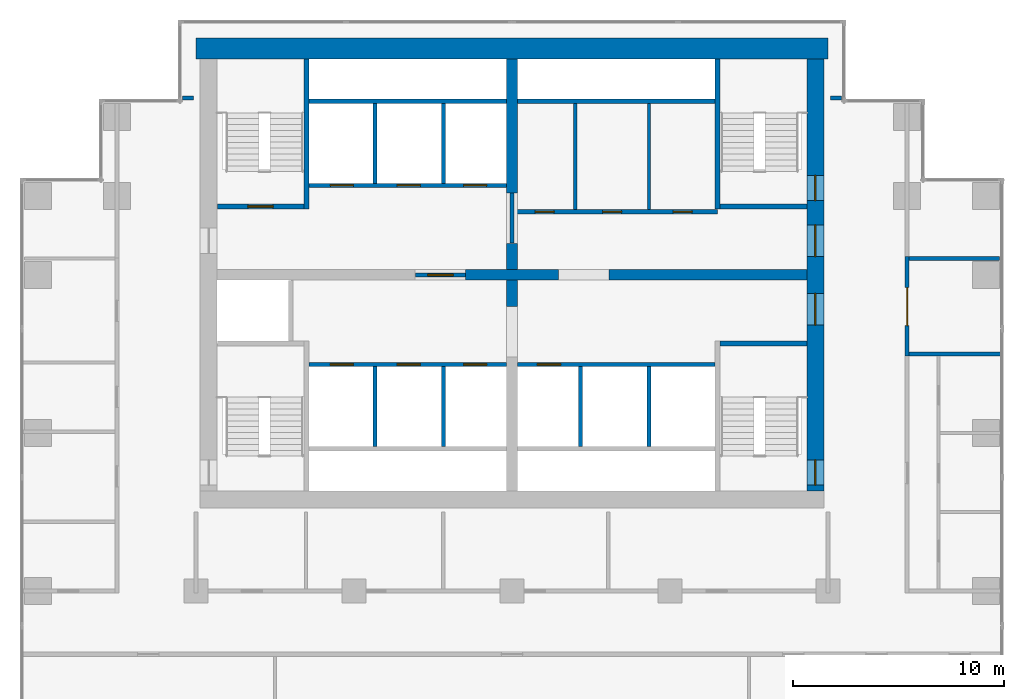
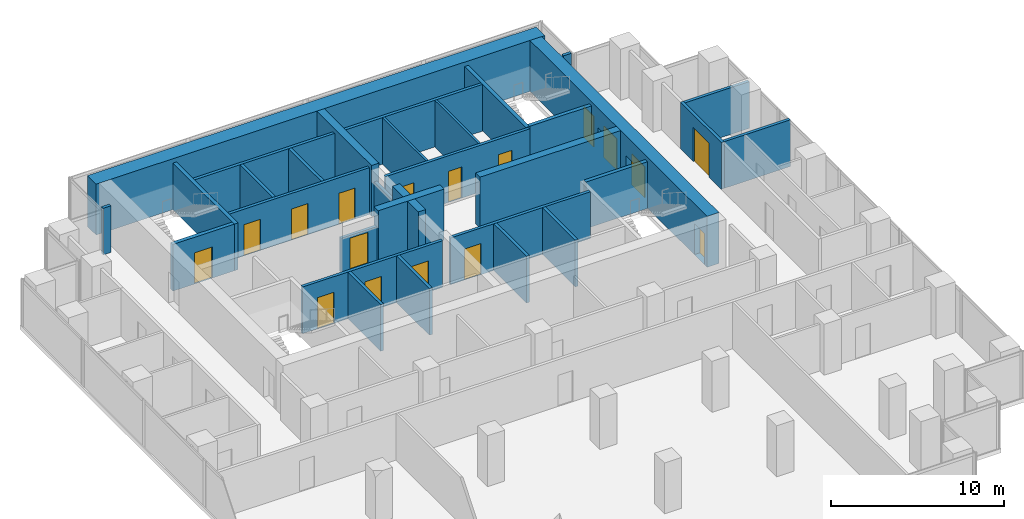
# One storey, part 8 of 10: 33 walls, 17 doors, 17 openings.
"""IFC4 building model written with IfcOpenShell, lengths in metres."""

from ifc_helpers import new_model, si_unit, direction, frame, frame_2d, origin, place, context, subcontext, project, spatial, rectangle, extrude, material, layer, layer_set, type_object, element, fill, save


model = new_model("IFC4")

# Units and contexts
model_context = context("Model", 3, precision=1e-05, world=origin(), true_north=direction((0.0, 1.0)))
body_context = subcontext(model_context, "Body", "Model", "MODEL_VIEW")
ifc_project = project(units=[si_unit("LENGTHUNIT", "METRE"), si_unit("AREAUNIT", "SQUARE_METRE"), si_unit("VOLUMEUNIT", "CUBIC_METRE"), si_unit("PLANEANGLEUNIT", "RADIAN"), si_unit("MASSUNIT", "GRAM", prefix="KILO")], contexts=[model_context])

# Site, building, storey
site_placement = place(None, origin())
site = spatial("IfcSite", under=ifc_project, at=site_placement, CompositionType="ELEMENT")
building_placement = place(site_placement, origin())
building = spatial("IfcBuilding", under=site, at=building_placement, Name="Pilkhan Gate Tower", CompositionType="ELEMENT")
storey_placement = place(building_placement, frame((0.0, 0.0, 118.0)))
storey = spatial("IfcBuildingStorey", under=building, at=storey_placement, Name="L29", CompositionType="ELEMENT", Elevation=118.0)

# Wall
ifc_material_1 = material(Name="Concrete C60/75", Category="concrete")
ifc_layer_1 = layer(ifc_material_1, 1.0)
ifc_layer_set_1 = layer_set([ifc_layer_1], Name="Core wall CW1000 C60/75")
wall_type_1 = type_object("IfcWallType", Name="Core wall CW1000 C60/75", PredefinedType="SHEAR", material=ifc_layer_set_1)
wall_1_placement = place(storey_placement, frame((90.0, 93.25, 0.0), z_axis=(0.0, 0.0, 1.0), x_axis=(-1.0, 0.0, 0.0)))
element("IfcWall", 1, at=wall_1_placement, inside=storey, type_object=wall_type_1, Name="Core wall N L29", PredefinedType="SHEAR", context=body_context, shape_type="SweptSolid", body=[
    extrude(rectangle(XDim=30.0, YDim=1.0, at=frame_2d((15.0, 0.0))), origin(), (0.0, 0.0, 1.0), 3.60009765625),
])

# Wall, openings, doors
ifc_layer_2 = layer(ifc_material_1, 0.800048828125)
ifc_layer_set_2 = layer_set([ifc_layer_2], Name="Core wall CW800 C60/75")
wall_type_2 = type_object("IfcWallType", Name="Core wall CW800 C60/75", PredefinedType="SHEAR", material=ifc_layer_set_2)
wall_2_placement = place(storey_placement, frame((89.39990234375, 72.25, 0.0), z_axis=(0.0, 0.0, 1.0), x_axis=(0.0, 1.0, 0.0)))
wall_2 = element("IfcWall", 2, at=wall_2_placement, inside=storey, type_object=wall_type_2, Name="Core wall E L29", PredefinedType="SHEAR", context=body_context, shape_type="SweptSolid", body=[
    extrude(rectangle(XDim=20.5, YDim=0.800048828125, at=frame_2d((10.25, 0.0))), origin(), (0.0, 0.0, 1.0), 3.60009765625),
])
opening_1_placement = place(wall_2_placement, frame((0.27490234375, 0.0, 0.0)))
opening_1 = element("IfcOpeningElement", 3, at=opening_1_placement, cuts=wall_2, Name="Opening L29-03", PredefinedType="OPENING", context=body_context, shape_type="SweptSolid", body=[
    extrude(rectangle(XDim=1.199951171875, YDim=2.199951171875, at=frame_2d((0.60009765625, 1.10009765625))), frame((0.0, 0.409912109375, 0.0), z_axis=(0.0, -1.0, 0.0), x_axis=(1.0, 0.0, 0.0)), (0.0, 0.0, 1.0), 0.820068359375),
])
opening_2_placement = place(wall_2_placement, frame((13.77490234375, 0.0, 0.0)))
opening_2 = element("IfcOpeningElement", 4, at=opening_2_placement, cuts=wall_2, Name="Opening L29-05", PredefinedType="OPENING", context=body_context, shape_type="SweptSolid", body=[
    extrude(rectangle(XDim=1.199951171875, YDim=2.199951171875, at=frame_2d((0.60009765625, 1.10009765625))), frame((0.0, 0.409912109375, 0.0), z_axis=(0.0, -1.0, 0.0), x_axis=(1.0, 0.0, 0.0)), (0.0, 0.0, 1.0), 0.820068359375),
])
opening_3_placement = place(wall_2_placement, frame((7.875, 0.0, 0.0)))
opening_3 = element("IfcOpeningElement", 5, at=opening_3_placement, cuts=wall_2, Name="Opening L29-08", PredefinedType="OPENING", context=body_context, shape_type="SweptSolid", body=[
    extrude(rectangle(XDim=1.5, YDim=2.199951171875, at=frame_2d((0.75, 1.10009765625))), frame((0.0, 0.409912109375, 0.0), z_axis=(0.0, -1.0, 0.0), x_axis=(1.0, 0.0, 0.0)), (0.0, 0.0, 1.0), 0.820068359375),
])
opening_4_placement = place(wall_2_placement, frame((11.125, 0.0, 0.0)))
opening_4 = element("IfcOpeningElement", 6, at=opening_4_placement, cuts=wall_2, Name="Opening L29-10", PredefinedType="OPENING", context=body_context, shape_type="SweptSolid", body=[
    extrude(rectangle(XDim=1.5, YDim=2.199951171875, at=frame_2d((0.75, 1.10009765625))), frame((0.0, 0.409912109375, 0.0), z_axis=(0.0, -1.0, 0.0), x_axis=(1.0, 0.0, 0.0)), (0.0, 0.0, 1.0), 0.820068359375),
])
ifc_material_2 = material(Name="Steel framed glazed door, 60 minute fire resisting", Category="steel")
door_type_1 = type_object("IfcDoorType", Name="Lobby door D09 1500x2200", OperationType="DOUBLE_DOOR_SINGLE_SWING", PredefinedType="DOOR", material=ifc_material_2)
door_1_placement = place(opening_3_placement, origin())
door_1 = element("IfcDoor", 7, at=door_1_placement, inside=storey, type_object=door_type_1, Name="Core door", OperationType="DOUBLE_DOOR_SINGLE_SWING", OverallHeight=2.199951171875, OverallWidth=1.5, PredefinedType="DOOR", context=body_context, shape_type="SweptSolid", body=[
    extrude(rectangle(XDim=1.5, YDim=2.199951171875, at=frame_2d((0.75, 1.10009765625))), frame((0.0, 0.02490234375, 0.0), z_axis=(0.0, -1.0, 0.0), x_axis=(1.0, 0.0, 0.0)), (0.0, 0.0, 1.0), 0.050048828125),
])
fill(opening_3, door_1)
door_2_placement = place(opening_4_placement, origin())
door_2 = element("IfcDoor", 8, at=door_2_placement, inside=storey, type_object=door_type_1, Name="Core door", OperationType="DOUBLE_DOOR_SINGLE_SWING", OverallHeight=2.199951171875, OverallWidth=1.5, PredefinedType="DOOR", context=body_context, shape_type="SweptSolid", body=[
    extrude(rectangle(XDim=1.5, YDim=2.199951171875, at=frame_2d((0.75, 1.10009765625))), frame((0.0, 0.02490234375, 0.0), z_axis=(0.0, -1.0, 0.0), x_axis=(1.0, 0.0, 0.0)), (0.0, 0.0, 1.0), 0.050048828125),
])
fill(opening_4, door_2)
ifc_material_3 = material(Name="Steel door, 120 minute fire resisting, panic bar", Category="steel")
door_type_2 = type_object("IfcDoorType", Name="Stair door D11 1200x2200", OperationType="SINGLE_SWING_LEFT", PredefinedType="DOOR", material=ifc_material_3)
door_3_placement = place(opening_1_placement, origin())
door_3 = element("IfcDoor", 9, at=door_3_placement, inside=storey, type_object=door_type_2, Name="Stair ST1 door", OperationType="SINGLE_SWING_LEFT", OverallHeight=2.199951171875, OverallWidth=1.199951171875, PredefinedType="DOOR", context=body_context, shape_type="SweptSolid", body=[
    extrude(rectangle(XDim=1.199951171875, YDim=2.199951171875, at=frame_2d((0.60009765625, 1.10009765625))), frame((0.0, 0.02490234375, 0.0), z_axis=(0.0, -1.0, 0.0), x_axis=(1.0, 0.0, 0.0)), (0.0, 0.0, 1.0), 0.050048828125),
])
fill(opening_1, door_3)
door_4_placement = place(opening_2_placement, origin())
door_4 = element("IfcDoor", 10, at=door_4_placement, inside=storey, type_object=door_type_2, Name="Stair ST4 door", OperationType="SINGLE_SWING_RIGHT", OverallHeight=2.199951171875, OverallWidth=1.199951171875, PredefinedType="DOOR", context=body_context, shape_type="SweptSolid", body=[
    extrude(rectangle(XDim=1.199951171875, YDim=2.199951171875, at=frame_2d((0.60009765625, 1.10009765625))), frame((0.0, 0.02490234375, 0.0), z_axis=(0.0, -1.0, 0.0), x_axis=(1.0, 0.0, 0.0)), (0.0, 0.0, 1.0), 0.050048828125),
])
fill(opening_2, door_4)

# Walls
ifc_material_4 = material(Name="Dense blockwork", Category="masonry")
ifc_layer_3 = layer(ifc_material_4, 0.199951171875)
ifc_layer_set_3 = layer_set([ifc_layer_3], Name="Corridor wall FW200")
wall_type_3 = type_object("IfcWallType", Name="Corridor wall FW200", PredefinedType="PARTITIONING", material=ifc_layer_set_3)
for number, where, z_axis, x_axis, name in (
    (11, (59.35498046875, 90.89990234375, 0.0), (0.0, 0.0, 1.0), (1.0, 0.0, 0.0), "Partition L29"),
    (12, (90.1201171875, 90.89990234375, 0.0), (0.0, 0.0, 1.0), (1.0, 0.0, 0.0), "Partition L29"),
):
    element("IfcWall", number, at=place(storey_placement, frame(where, z_axis=z_axis, x_axis=x_axis)), inside=storey, type_object=wall_type_3, Name=name, PredefinedType="PARTITIONING", context=body_context, shape_type="SweptSolid", body=[
        extrude(rectangle(XDim=0.52490234375, YDim=0.199951171875, at=frame_2d((0.262451171875, 0.0))), origin(), (0.0, 0.0, 1.0), 3.300048828125),
    ])
ifc_layer_4 = layer(ifc_material_4, 0.199951171875)
ifc_layer_set_4 = layer_set([ifc_layer_4], Name="Lobby wall LW200")
wall_type_4 = type_object("IfcWallType", Name="Lobby wall LW200", PredefinedType="PARTITIONING", material=ifc_layer_set_4)
wall_3_placement = place(storey_placement, frame((93.85009765625, 78.75, 0.0), z_axis=(0.0, 0.0, 1.0), x_axis=(1.0, 0.0, 0.0)))
element("IfcWall", 13, at=wall_3_placement, inside=storey, type_object=wall_type_4, Name="Partition L29", PredefinedType="PARTITIONING", context=body_context, shape_type="SweptSolid", body=[
    extrude(rectangle(XDim=4.414794921875, YDim=0.199951171875, at=frame_2d((2.20751953125, 0.0))), origin(), (0.0, 0.0, 1.0), 3.300048828125),
])

# Wall, opening, door
wall_4_placement = place(storey_placement, frame((70.409912109375, 82.5, 0.0), z_axis=(0.0, 0.0, 1.0), x_axis=(1.0, 0.0, 0.0)))
wall_4 = element("IfcWall", 14, at=wall_4_placement, inside=storey, type_object=wall_type_4, Name="Partition L29", PredefinedType="PARTITIONING", context=body_context, shape_type="SweptSolid", body=[
    extrude(rectangle(XDim=2.380126953125, YDim=0.199951171875, at=frame_2d((1.18994140625, 0.0))), origin(), (0.0, 0.0, 1.0), 2.39990234375),
])
opening_5_placement = place(wall_4_placement, frame((0.60009765625, 0.0, 0.0)))
opening_5 = element("IfcOpeningElement", 15, at=opening_5_placement, cuts=wall_4, Name="Opening L29-01", PredefinedType="OPENING", context=body_context, shape_type="SweptSolid", body=[
    extrude(rectangle(XDim=1.199951171875, YDim=2.199951171875, at=frame_2d((0.60009765625, 1.10009765625))), frame((0.0, 0.10986328125, 0.0), z_axis=(0.0, -1.0, 0.0), x_axis=(1.0, 0.0, 0.0)), (0.0, 0.0, 1.0), 0.219970703125),
])
ifc_material_5 = material(Name="Steel door, 120 minute fire resisting, self-closing", Category="steel")
door_type_3 = type_object("IfcDoorType", Name="Firefighting lobby door D10 1200x2200", OperationType="SINGLE_SWING_LEFT", PredefinedType="DOOR", material=ifc_material_5)
door_5_placement = place(opening_5_placement, origin())
door_5 = element("IfcDoor", 16, at=door_5_placement, inside=storey, type_object=door_type_3, Name="Firefighting lobby door", OperationType="SINGLE_SWING_RIGHT", OverallHeight=2.199951171875, OverallWidth=1.199951171875, PredefinedType="DOOR", context=body_context, shape_type="SweptSolid", body=[
    extrude(rectangle(XDim=1.199951171875, YDim=2.199951171875, at=frame_2d((0.60009765625, 1.10009765625))), frame((0.0, 0.02490234375, 0.0), z_axis=(0.0, -1.0, 0.0), x_axis=(1.0, 0.0, 0.0)), (0.0, 0.0, 1.0), 0.050048828125),
])
fill(opening_5, door_5)

# Wall
wall_5_placement = place(storey_placement, frame((93.85009765625, 83.280029296875, 0.0), z_axis=(0.0, 0.0, 1.0), x_axis=(1.0, 0.0, 0.0)))
element("IfcWall", 17, at=wall_5_placement, inside=storey, type_object=wall_type_4, Name="Partition L29", PredefinedType="PARTITIONING", context=body_context, shape_type="SweptSolid", body=[
    extrude(rectangle(XDim=4.294921875, YDim=0.199951171875, at=frame_2d((2.1474609375, 0.0))), origin(), (0.0, 0.0, 1.0), 3.300048828125),
])

# Wall, openings, doors
wall_6_placement = place(storey_placement, frame((75.10009765625, 85.5, 0.0), z_axis=(0.0, 0.0, 1.0), x_axis=(1.0, 0.0, 0.0)))
wall_6 = element("IfcWall", 18, at=wall_6_placement, inside=storey, type_object=wall_type_4, Name="Partition L29", PredefinedType="PARTITIONING", context=body_context, shape_type="SweptSolid", body=[
    extrude(rectangle(XDim=9.64990234375, YDim=0.199951171875, at=frame_2d((4.824951171875, 0.0))), origin(), (0.0, 0.0, 1.0), 3.300048828125),
])
opening_6_placement = place(wall_6_placement, frame((1.0, 0.0, 0.0)))
opening_6 = element("IfcOpeningElement", 19, at=opening_6_placement, cuts=wall_6, Name="Opening L29-11", PredefinedType="OPENING", context=body_context, shape_type="SweptSolid", body=[
    extrude(rectangle(XDim=0.89990234375, YDim=2.199951171875, at=frame_2d((0.449951171875, 1.10009765625))), frame((0.0, 0.10986328125, 0.0), z_axis=(0.0, -1.0, 0.0), x_axis=(1.0, 0.0, 0.0)), (0.0, 0.0, 1.0), 0.219970703125),
])
opening_7_placement = place(wall_6_placement, frame((4.199951171875, 0.0, 0.0)))
opening_7 = element("IfcOpeningElement", 20, at=opening_7_placement, cuts=wall_6, Name="Opening L29-12", PredefinedType="OPENING", context=body_context, shape_type="SweptSolid", body=[
    extrude(rectangle(XDim=0.89990234375, YDim=2.199951171875, at=frame_2d((0.449951171875, 1.10009765625))), frame((0.0, 0.10986328125, 0.0), z_axis=(0.0, -1.0, 0.0), x_axis=(1.0, 0.0, 0.0)), (0.0, 0.0, 1.0), 0.219970703125),
])
opening_8_placement = place(wall_6_placement, frame((7.550048828125, 0.0, 0.0)))
opening_8 = element("IfcOpeningElement", 21, at=opening_8_placement, cuts=wall_6, Name="Opening L29-13", PredefinedType="OPENING", context=body_context, shape_type="SweptSolid", body=[
    extrude(rectangle(XDim=0.89990234375, YDim=2.199951171875, at=frame_2d((0.449951171875, 1.10009765625))), frame((0.0, 0.10986328125, 0.0), z_axis=(0.0, -1.0, 0.0), x_axis=(1.0, 0.0, 0.0)), (0.0, 0.0, 1.0), 0.219970703125),
])
ifc_material_6 = material(Name="Timber flush door, 60 minute fire resisting, self-closing", Category="wood")
door_type_4 = type_object("IfcDoorType", Name="Store door D05 900x2200", OperationType="SINGLE_SWING_LEFT", PredefinedType="DOOR", material=ifc_material_6)
door_6_placement = place(opening_7_placement, origin())
door_6 = element("IfcDoor", 22, at=door_6_placement, inside=storey, type_object=door_type_4, Name="Store door", OperationType="SINGLE_SWING_LEFT", OverallHeight=2.199951171875, OverallWidth=0.89990234375, PredefinedType="DOOR", context=body_context, shape_type="SweptSolid", body=[
    extrude(rectangle(XDim=0.89990234375, YDim=2.199951171875, at=frame_2d((0.449951171875, 1.10009765625))), frame((0.0, 0.02490234375, 0.0), z_axis=(0.0, -1.0, 0.0), x_axis=(1.0, 0.0, 0.0)), (0.0, 0.0, 1.0), 0.050048828125),
])
fill(opening_7, door_6)
door_7_placement = place(opening_8_placement, origin())
door_7 = element("IfcDoor", 23, at=door_7_placement, inside=storey, type_object=door_type_4, Name="Store door", OperationType="SINGLE_SWING_RIGHT", OverallHeight=2.199951171875, OverallWidth=0.89990234375, PredefinedType="DOOR", context=body_context, shape_type="SweptSolid", body=[
    extrude(rectangle(XDim=0.89990234375, YDim=2.199951171875, at=frame_2d((0.449951171875, 1.10009765625))), frame((0.0, 0.02490234375, 0.0), z_axis=(0.0, -1.0, 0.0), x_axis=(1.0, 0.0, 0.0)), (0.0, 0.0, 1.0), 0.050048828125),
])
fill(opening_8, door_7)
ifc_material_7 = material(Name="Timber flush door, 30 minute fire resisting", Category="wood")
door_type_5 = type_object("IfcDoorType", Name="Toilet door D06 900x2200", OperationType="SINGLE_SWING_LEFT", PredefinedType="DOOR", material=ifc_material_7)
door_8_placement = place(opening_6_placement, origin())
door_8 = element("IfcDoor", 24, at=door_8_placement, inside=storey, type_object=door_type_5, Name="Toilet door", OperationType="SINGLE_SWING_RIGHT", OverallHeight=2.199951171875, OverallWidth=0.89990234375, PredefinedType="DOOR", context=body_context, shape_type="SweptSolid", body=[
    extrude(rectangle(XDim=0.89990234375, YDim=2.199951171875, at=frame_2d((0.449951171875, 1.10009765625))), frame((0.0, 0.02490234375, 0.0), z_axis=(0.0, -1.0, 0.0), x_axis=(1.0, 0.0, 0.0)), (0.0, 0.0, 1.0), 0.050048828125),
])
fill(opening_6, door_8)

# Walls
wall_7_placement = place(storey_placement, frame((75.260009765625, 90.75, 0.0), z_axis=(0.0, 0.0, 1.0), x_axis=(1.0, 0.0, 0.0)))
element("IfcWall", 25, at=wall_7_placement, inside=storey, type_object=wall_type_4, Name="Partition L29", PredefinedType="PARTITIONING", context=body_context, shape_type="SweptSolid", body=[
    extrude(rectangle(XDim=9.364990234375, YDim=0.199951171875, at=frame_2d((4.6826171875, 0.0))), origin(), (0.0, 0.0, 1.0), 3.300048828125),
])
wall_8_placement = place(storey_placement, frame((75.0, 84.010009765625, 0.0), z_axis=(0.0, 0.0, 1.0), x_axis=(0.0, 1.0, 0.0)))
element("IfcWall", 26, at=wall_8_placement, inside=storey, type_object=wall_type_4, Name="Partition L29", PredefinedType="PARTITIONING", context=body_context, shape_type="SweptSolid", body=[
    extrude(rectangle(XDim=2.3798828125, YDim=0.199951171875, at=frame_2d((1.18994140625, 0.0))), origin(), (0.0, 0.0, 1.0), 2.39990234375),
])

# Wall, opening, door
wall_9_placement = place(storey_placement, frame((93.75, 78.64990234375, 0.0), z_axis=(0.0, 0.0, 1.0), x_axis=(0.0, 1.0, 0.0)))
wall_9 = element("IfcWall", 27, at=wall_9_placement, inside=storey, type_object=wall_type_4, Name="Partition L29", PredefinedType="PARTITIONING", context=body_context, shape_type="SweptSolid", body=[
    extrude(rectangle(XDim=4.72998046875, YDim=0.199951171875, at=frame_2d((2.364990234375, 0.0))), origin(), (0.0, 0.0, 1.0), 3.300048828125),
])
opening_9_placement = place(wall_9_placement, frame((1.449951171875, 0.0, 0.0)))
opening_9 = element("IfcOpeningElement", 28, at=opening_9_placement, cuts=wall_9, Name="Opening L29-26", PredefinedType="OPENING", context=body_context, shape_type="SweptSolid", body=[
    extrude(rectangle(XDim=1.800048828125, YDim=2.39990234375, at=frame_2d((0.89990234375, 1.199951171875))), frame((0.0, 0.10986328125, 0.0), z_axis=(0.0, -1.0, 0.0), x_axis=(1.0, 0.0, 0.0)), (0.0, 0.0, 1.0), 0.219970703125),
])
ifc_material_8 = material(Name="Steel door, 120 minute fire resisting", Category="steel")
door_type_6 = type_object("IfcDoorType", Name="Plant room door D08 1800x2400", OperationType="DOUBLE_DOOR_SINGLE_SWING", PredefinedType="DOOR", material=ifc_material_8)
door_9_placement = place(opening_9_placement, origin())
door_9 = element("IfcDoor", 29, at=door_9_placement, inside=storey, type_object=door_type_6, Name="Plant room door", OperationType="DOUBLE_DOOR_SINGLE_SWING", OverallHeight=2.39990234375, OverallWidth=1.800048828125, PredefinedType="DOOR", context=body_context, shape_type="SweptSolid", body=[
    extrude(rectangle(XDim=1.800048828125, YDim=2.39990234375, at=frame_2d((0.89990234375, 1.199951171875))), frame((0.0, 0.02490234375, 0.0), z_axis=(0.0, -1.0, 0.0), x_axis=(1.0, 0.0, 0.0)), (0.0, 0.0, 1.0), 0.050048828125),
])
fill(opening_9, door_9)

# Walls
ifc_material_9 = material(Name="Blockwork partition, plastered both sides", Category="masonry")
ifc_layer_5 = layer(ifc_material_9, 0.14990234375)
ifc_layer_set_5 = layer_set([ifc_layer_5], Name="Partition PW150")
wall_type_5 = type_object("IfcWallType", Name="Partition PW150", PredefinedType="PARTITIONING", material=ifc_layer_set_5)
for number, where, z_axis, x_axis, name in (
    (30, (78.0, 85.60009765625, 0.0), (0.0, 0.0, 1.0), (0.0, 1.0, 0.0), "Partition L29"),
    (31, (81.5, 85.60009765625, 0.0), (0.0, 0.0, 1.0), (0.0, 1.0, 0.0), "Partition L29"),
):
    element("IfcWall", number, at=place(storey_placement, frame(where, z_axis=z_axis, x_axis=x_axis)), inside=storey, type_object=wall_type_5, Name=name, PredefinedType="PARTITIONING", context=body_context, shape_type="SweptSolid", body=[
        extrude(rectangle(XDim=5.0498046875, YDim=0.14990234375, at=frame_2d((2.52490234375, 0.0))), origin(), (0.0, 0.0, 1.0), 3.300048828125),
    ])

# Wall, openings, doors
ifc_material_10 = material(Name="Reinforced blockwork shaft wall, 120 minute fire resisting", Category="masonry")
ifc_layer_6 = layer(ifc_material_10, 0.199951171875)
ifc_layer_set_6 = layer_set([ifc_layer_6], Name="Shaft wall SW200")
wall_type_6 = type_object("IfcWallType", Name="Shaft wall SW200", PredefinedType="PARTITIONING", material=ifc_layer_set_6)
wall_10_placement = place(storey_placement, frame((65.375, 78.25, 0.0), z_axis=(0.0, 0.0, 1.0), x_axis=(1.0, 0.0, 0.0)))
wall_10 = element("IfcWall", 32, at=wall_10_placement, inside=storey, type_object=wall_type_6, Name="Partition L29", PredefinedType="PARTITIONING", context=body_context, shape_type="SweptSolid", body=[
    extrude(rectangle(XDim=9.364990234375, YDim=0.199951171875, at=frame_2d((4.6826171875, 0.0))), origin(), (0.0, 0.0, 1.0), 3.300048828125),
])
opening_10_placement = place(wall_10_placement, frame((1.0, 0.0, 0.0)))
opening_10 = element("IfcOpeningElement", 33, at=opening_10_placement, cuts=wall_10, Name="Opening LD", PredefinedType="OPENING", context=body_context, shape_type="SweptSolid", body=[
    extrude(rectangle(XDim=1.10009765625, YDim=2.199951171875, at=frame_2d((0.550048828125, 1.10009765625))), frame((0.0, 0.10986328125, 0.0), z_axis=(0.0, -1.0, 0.0), x_axis=(1.0, 0.0, 0.0)), (0.0, 0.0, 1.0), 0.219970703125),
])
opening_11_placement = place(wall_10_placement, frame((4.175048828125, 0.0, 0.0)))
opening_11 = element("IfcOpeningElement", 34, at=opening_11_placement, cuts=wall_10, Name="Opening LD", PredefinedType="OPENING", context=body_context, shape_type="SweptSolid", body=[
    extrude(rectangle(XDim=1.10009765625, YDim=2.199951171875, at=frame_2d((0.550048828125, 1.10009765625))), frame((0.0, 0.10986328125, 0.0), z_axis=(0.0, -1.0, 0.0), x_axis=(1.0, 0.0, 0.0)), (0.0, 0.0, 1.0), 0.219970703125),
])
opening_12_placement = place(wall_10_placement, frame((7.324951171875, 0.0, 0.0)))
opening_12 = element("IfcOpeningElement", 35, at=opening_12_placement, cuts=wall_10, Name="Opening LD", PredefinedType="OPENING", context=body_context, shape_type="SweptSolid", body=[
    extrude(rectangle(XDim=1.10009765625, YDim=2.199951171875, at=frame_2d((0.550048828125, 1.10009765625))), frame((0.0, 0.10986328125, 0.0), z_axis=(0.0, -1.0, 0.0), x_axis=(1.0, 0.0, 0.0)), (0.0, 0.0, 1.0), 0.219970703125),
])
ifc_material_11 = material(Name="Stainless steel centre-opening landing door, 120 minute fire resisting", Category="steel")
door_type_7 = type_object("IfcDoorType", Name="Lift landing door LD 1100x2200", OperationType="DOUBLE_DOOR_SLIDING", PredefinedType="DOOR", material=ifc_material_11)
door_10_placement = place(opening_10_placement, origin())
door_10 = element("IfcDoor", 36, at=door_10_placement, inside=storey, type_object=door_type_7, Name="Landing door LR1", OperationType="DOUBLE_DOOR_SLIDING", OverallHeight=2.199951171875, OverallWidth=1.10009765625, PredefinedType="DOOR", context=body_context, shape_type="SweptSolid", body=[
    extrude(rectangle(XDim=1.10009765625, YDim=2.199951171875, at=frame_2d((0.550048828125, 1.10009765625))), frame((0.0, 0.02490234375, 0.0), z_axis=(0.0, -1.0, 0.0), x_axis=(1.0, 0.0, 0.0)), (0.0, 0.0, 1.0), 0.050048828125),
])
fill(opening_10, door_10)
door_11_placement = place(opening_11_placement, origin())
door_11 = element("IfcDoor", 37, at=door_11_placement, inside=storey, type_object=door_type_7, Name="Landing door LR2", OperationType="DOUBLE_DOOR_SLIDING", OverallHeight=2.199951171875, OverallWidth=1.10009765625, PredefinedType="DOOR", context=body_context, shape_type="SweptSolid", body=[
    extrude(rectangle(XDim=1.10009765625, YDim=2.199951171875, at=frame_2d((0.550048828125, 1.10009765625))), frame((0.0, 0.02490234375, 0.0), z_axis=(0.0, -1.0, 0.0), x_axis=(1.0, 0.0, 0.0)), (0.0, 0.0, 1.0), 0.050048828125),
])
fill(opening_11, door_11)
door_12_placement = place(opening_12_placement, origin())
door_12 = element("IfcDoor", 38, at=door_12_placement, inside=storey, type_object=door_type_7, Name="Landing door LR3", OperationType="DOUBLE_DOOR_SLIDING", OverallHeight=2.199951171875, OverallWidth=1.10009765625, PredefinedType="DOOR", context=body_context, shape_type="SweptSolid", body=[
    extrude(rectangle(XDim=1.10009765625, YDim=2.199951171875, at=frame_2d((0.550048828125, 1.10009765625))), frame((0.0, 0.02490234375, 0.0), z_axis=(0.0, -1.0, 0.0), x_axis=(1.0, 0.0, 0.0)), (0.0, 0.0, 1.0), 0.050048828125),
])
fill(opening_12, door_12)

# Wall, opening, door
wall_11_placement = place(storey_placement, frame((75.260009765625, 78.25, 0.0), z_axis=(0.0, 0.0, 1.0), x_axis=(1.0, 0.0, 0.0)))
wall_11 = element("IfcWall", 39, at=wall_11_placement, inside=storey, type_object=wall_type_6, Name="Partition L29", PredefinedType="PARTITIONING", context=body_context, shape_type="SweptSolid", body=[
    extrude(rectangle(XDim=9.364990234375, YDim=0.199951171875, at=frame_2d((4.6826171875, 0.0))), origin(), (0.0, 0.0, 1.0), 3.300048828125),
])
opening_13_placement = place(wall_11_placement, frame((0.949951171875, 0.0, 0.0)))
opening_13 = element("IfcOpeningElement", 40, at=opening_13_placement, cuts=wall_11, Name="Opening LD", PredefinedType="OPENING", context=body_context, shape_type="SweptSolid", body=[
    extrude(rectangle(XDim=1.10009765625, YDim=2.199951171875, at=frame_2d((0.550048828125, 1.10009765625))), frame((0.0, 0.10986328125, 0.0), z_axis=(0.0, -1.0, 0.0), x_axis=(1.0, 0.0, 0.0)), (0.0, 0.0, 1.0), 0.219970703125),
])
door_13_placement = place(opening_13_placement, origin())
door_13 = element("IfcDoor", 41, at=door_13_placement, inside=storey, type_object=door_type_7, Name="Landing door LR4", OperationType="DOUBLE_DOOR_SLIDING", OverallHeight=2.199951171875, OverallWidth=1.10009765625, PredefinedType="DOOR", context=body_context, shape_type="SweptSolid", body=[
    extrude(rectangle(XDim=1.10009765625, YDim=2.199951171875, at=frame_2d((0.550048828125, 1.10009765625))), frame((0.0, 0.02490234375, 0.0), z_axis=(0.0, -1.0, 0.0), x_axis=(1.0, 0.0, 0.0)), (0.0, 0.0, 1.0), 0.050048828125),
])
fill(opening_13, door_13)

# Wall, openings, doors
wall_12_placement = place(storey_placement, frame((65.375, 86.75, 0.0), z_axis=(0.0, 0.0, 1.0), x_axis=(1.0, 0.0, 0.0)))
wall_12 = element("IfcWall", 42, at=wall_12_placement, inside=storey, type_object=wall_type_6, Name="Partition L29", PredefinedType="PARTITIONING", context=body_context, shape_type="SweptSolid", body=[
    extrude(rectangle(XDim=9.364990234375, YDim=0.199951171875, at=frame_2d((4.6826171875, 0.0))), origin(), (0.0, 0.0, 1.0), 3.300048828125),
])
opening_14_placement = place(wall_12_placement, frame((1.0, 0.0, 0.0)))
opening_14 = element("IfcOpeningElement", 43, at=opening_14_placement, cuts=wall_12, Name="Opening LD", PredefinedType="OPENING", context=body_context, shape_type="SweptSolid", body=[
    extrude(rectangle(XDim=1.10009765625, YDim=2.199951171875, at=frame_2d((0.550048828125, 1.10009765625))), frame((0.0, 0.10986328125, 0.0), z_axis=(0.0, -1.0, 0.0), x_axis=(1.0, 0.0, 0.0)), (0.0, 0.0, 1.0), 0.219970703125),
])
opening_15_placement = place(wall_12_placement, frame((4.175048828125, 0.0, 0.0)))
opening_15 = element("IfcOpeningElement", 44, at=opening_15_placement, cuts=wall_12, Name="Opening LD", PredefinedType="OPENING", context=body_context, shape_type="SweptSolid", body=[
    extrude(rectangle(XDim=1.10009765625, YDim=2.199951171875, at=frame_2d((0.550048828125, 1.10009765625))), frame((0.0, 0.10986328125, 0.0), z_axis=(0.0, -1.0, 0.0), x_axis=(1.0, 0.0, 0.0)), (0.0, 0.0, 1.0), 0.219970703125),
])
opening_16_placement = place(wall_12_placement, frame((7.324951171875, 0.0, 0.0)))
opening_16 = element("IfcOpeningElement", 45, at=opening_16_placement, cuts=wall_12, Name="Opening LD", PredefinedType="OPENING", context=body_context, shape_type="SweptSolid", body=[
    extrude(rectangle(XDim=1.10009765625, YDim=2.199951171875, at=frame_2d((0.550048828125, 1.10009765625))), frame((0.0, 0.10986328125, 0.0), z_axis=(0.0, -1.0, 0.0), x_axis=(1.0, 0.0, 0.0)), (0.0, 0.0, 1.0), 0.219970703125),
])
door_14_placement = place(opening_14_placement, origin())
door_14 = element("IfcDoor", 46, at=door_14_placement, inside=storey, type_object=door_type_7, Name="Landing door FF1", OperationType="DOUBLE_DOOR_SLIDING", OverallHeight=2.199951171875, OverallWidth=1.10009765625, PredefinedType="DOOR", context=body_context, shape_type="SweptSolid", body=[
    extrude(rectangle(XDim=1.10009765625, YDim=2.199951171875, at=frame_2d((0.550048828125, 1.10009765625))), frame((0.0, 0.02490234375, 0.0), z_axis=(0.0, -1.0, 0.0), x_axis=(1.0, 0.0, 0.0)), (0.0, 0.0, 1.0), 0.050048828125),
])
fill(opening_14, door_14)
door_15_placement = place(opening_15_placement, origin())
door_15 = element("IfcDoor", 47, at=door_15_placement, inside=storey, type_object=door_type_7, Name="Landing door FF2", OperationType="DOUBLE_DOOR_SLIDING", OverallHeight=2.199951171875, OverallWidth=1.10009765625, PredefinedType="DOOR", context=body_context, shape_type="SweptSolid", body=[
    extrude(rectangle(XDim=1.10009765625, YDim=2.199951171875, at=frame_2d((0.550048828125, 1.10009765625))), frame((0.0, 0.02490234375, 0.0), z_axis=(0.0, -1.0, 0.0), x_axis=(1.0, 0.0, 0.0)), (0.0, 0.0, 1.0), 0.050048828125),
])
fill(opening_15, door_15)
door_16_placement = place(opening_16_placement, origin())
door_16 = element("IfcDoor", 48, at=door_16_placement, inside=storey, type_object=door_type_7, Name="Landing door SV1", OperationType="DOUBLE_DOOR_SLIDING", OverallHeight=2.199951171875, OverallWidth=1.10009765625, PredefinedType="DOOR", context=body_context, shape_type="SweptSolid", body=[
    extrude(rectangle(XDim=1.10009765625, YDim=2.199951171875, at=frame_2d((0.550048828125, 1.10009765625))), frame((0.0, 0.02490234375, 0.0), z_axis=(0.0, -1.0, 0.0), x_axis=(1.0, 0.0, 0.0)), (0.0, 0.0, 1.0), 0.050048828125),
])
fill(opening_16, door_16)

# Walls
wall_13_placement = place(storey_placement, frame((65.375, 90.75, 0.0), z_axis=(0.0, 0.0, 1.0), x_axis=(1.0, 0.0, 0.0)))
element("IfcWall", 49, at=wall_13_placement, inside=storey, type_object=wall_type_6, Name="Partition L29", PredefinedType="PARTITIONING", context=body_context, shape_type="SweptSolid", body=[
    extrude(rectangle(XDim=9.364990234375, YDim=0.199951171875, at=frame_2d((4.6826171875, 0.0))), origin(), (0.0, 0.0, 1.0), 3.300048828125),
])
for number, where, z_axis, x_axis, name in (
    (50, (68.5, 74.35009765625, 0.0), (0.0, 0.0, 1.0), (0.0, 1.0, 0.0), "Partition L29"),
    (51, (68.5, 86.85009765625, 0.0), (0.0, 0.0, 1.0), (0.0, 1.0, 0.0), "Partition L29"),
    (52, (71.75, 74.35009765625, 0.0), (0.0, 0.0, 1.0), (0.0, 1.0, 0.0), "Partition L29"),
    (53, (71.75, 86.85009765625, 0.0), (0.0, 0.0, 1.0), (0.0, 1.0, 0.0), "Partition L29"),
    (54, (78.25, 74.35009765625, 0.0), (0.0, 0.0, 1.0), (0.0, 1.0, 0.0), "Partition L29"),
    (55, (81.5, 74.35009765625, 0.0), (0.0, 0.0, 1.0), (0.0, 1.0, 0.0), "Partition L29"),
):
    element("IfcWall", number, at=place(storey_placement, frame(where, z_axis=z_axis, x_axis=x_axis)), inside=storey, type_object=wall_type_6, Name=name, PredefinedType="PARTITIONING", context=body_context, shape_type="SweptSolid", body=[
        extrude(rectangle(XDim=3.7998046875, YDim=0.199951171875, at=frame_2d((1.89990234375, 0.0))), origin(), (0.0, 0.0, 1.0), 3.300048828125),
    ])
ifc_layer_7 = layer(ifc_material_1, 0.5)
ifc_layer_set_7 = layer_set([ifc_layer_7], Name="Spine wall SW500 C60/75")
wall_type_7 = type_object("IfcWallType", Name="Spine wall SW500 C60/75", PredefinedType="SHEAR", material=ifc_layer_set_7)
wall_14_placement = place(storey_placement, frame((72.800048828125, 82.5, 0.0), z_axis=(0.0, 0.0, 1.0), x_axis=(1.0, 0.0, 0.0)))
element("IfcWall", 56, at=wall_14_placement, inside=storey, type_object=wall_type_7, Name="Spine wall SP-EW2 L29", PredefinedType="SHEAR", context=body_context, shape_type="SweptSolid", body=[
    extrude(rectangle(XDim=4.39990234375, YDim=0.5, at=frame_2d((2.199951171875, 0.0))), origin(), (0.0, 0.0, 1.0), 3.60009765625),
])
wall_15_placement = place(storey_placement, frame((79.60009765625, 82.5, 0.0), z_axis=(0.0, 0.0, 1.0), x_axis=(1.0, 0.0, 0.0)))
element("IfcWall", 57, at=wall_15_placement, inside=storey, type_object=wall_type_7, Name="Spine wall SP-EW3 L29", PredefinedType="SHEAR", context=body_context, shape_type="SweptSolid", body=[
    extrude(rectangle(XDim=9.39990234375, YDim=0.5, at=frame_2d((4.699951171875, 0.0))), origin(), (0.0, 0.0, 1.0), 3.60009765625),
])
for number, where, z_axis, x_axis, name in (
    (58, (75.0, 81.0, 0.0), (0.0, 0.0, 1.0), (0.0, 1.0, 0.0), "Spine wall SP-NS-S2 L29"),
    (59, (75.0, 82.75, 0.0), (0.0, 0.0, 1.0), (0.0, 1.0, 0.0), "Spine wall SP-NS-N1 L29"),
):
    element("IfcWall", number, at=place(storey_placement, frame(where, z_axis=z_axis, x_axis=x_axis)), inside=storey, type_object=wall_type_7, Name=name, PredefinedType="SHEAR", context=body_context, shape_type="SweptSolid", body=[
        extrude(rectangle(XDim=1.25, YDim=0.5, at=frame_2d((0.625, 0.0))), origin(), (0.0, 0.0, 1.0), 3.60009765625),
    ])
wall_16_placement = place(storey_placement, frame((75.0, 86.39990234375, 0.0), z_axis=(0.0, 0.0, 1.0), x_axis=(0.0, 1.0, 0.0)))
element("IfcWall", 60, at=wall_16_placement, inside=storey, type_object=wall_type_7, Name="Spine wall SP-NS-N2 L29", PredefinedType="SHEAR", context=body_context, shape_type="SweptSolid", body=[
    extrude(rectangle(XDim=6.35009765625, YDim=0.5, at=frame_2d((3.175048828125, 0.0))), origin(), (0.0, 0.0, 1.0), 3.60009765625),
])
ifc_material_12 = material(Name="Reinforced blockwork, 120 minute fire resisting", Category="masonry")
ifc_layer_8 = layer(ifc_material_12, 0.25)
ifc_layer_set_8 = layer_set([ifc_layer_8], Name="Stair enclosure wall SE250")
wall_type_8 = type_object("IfcWallType", Name="Stair enclosure wall SE250", PredefinedType="PARTITIONING", material=ifc_layer_set_8)
wall_17_placement = place(storey_placement, frame((84.875, 79.25, 0.0), z_axis=(0.0, 0.0, 1.0), x_axis=(1.0, 0.0, 0.0)))
element("IfcWall", 61, at=wall_17_placement, inside=storey, type_object=wall_type_8, Name="Partition L29", PredefinedType="PARTITIONING", context=body_context, shape_type="SweptSolid", body=[
    extrude(rectangle(XDim=4.125, YDim=0.25, at=frame_2d((2.0625, 0.0))), origin(), (0.0, 0.0, 1.0), 3.300048828125),
])

# Wall, opening, door
wall_18_placement = place(storey_placement, frame((61.010009765625, 85.75, 0.0), z_axis=(0.0, 0.0, 1.0), x_axis=(1.0, 0.0, 0.0)))
wall_18 = element("IfcWall", 62, at=wall_18_placement, inside=storey, type_object=wall_type_8, Name="Partition L29", PredefinedType="PARTITIONING", context=body_context, shape_type="SweptSolid", body=[
    extrude(rectangle(XDim=4.114990234375, YDim=0.25, at=frame_2d((2.0576171875, 0.0))), origin(), (0.0, 0.0, 1.0), 3.300048828125),
])
opening_17_placement = place(wall_18_placement, frame((1.449951171875, 0.0, 0.0)))
opening_17 = element("IfcOpeningElement", 63, at=opening_17_placement, cuts=wall_18, Name="Opening L29-02", PredefinedType="OPENING", context=body_context, shape_type="SweptSolid", body=[
    extrude(rectangle(XDim=1.199951171875, YDim=2.199951171875, at=frame_2d((0.60009765625, 1.10009765625))), frame((0.0, 0.135009765625, 0.0), z_axis=(0.0, -1.0, 0.0), x_axis=(1.0, 0.0, 0.0)), (0.0, 0.0, 1.0), 0.27001953125),
])
door_17_placement = place(opening_17_placement, origin())
door_17 = element("IfcDoor", 64, at=door_17_placement, inside=storey, type_object=door_type_2, Name="Stair ST3 lobby door", OperationType="SINGLE_SWING_LEFT", OverallHeight=2.199951171875, OverallWidth=1.199951171875, PredefinedType="DOOR", context=body_context, shape_type="SweptSolid", body=[
    extrude(rectangle(XDim=1.199951171875, YDim=2.199951171875, at=frame_2d((0.60009765625, 1.10009765625))), frame((0.0, 0.02490234375, 0.0), z_axis=(0.0, -1.0, 0.0), x_axis=(1.0, 0.0, 0.0)), (0.0, 0.0, 1.0), 0.050048828125),
])
fill(opening_17, door_17)

# Walls
wall_19_placement = place(storey_placement, frame((84.875, 85.75, 0.0), z_axis=(0.0, 0.0, 1.0), x_axis=(1.0, 0.0, 0.0)))
element("IfcWall", 65, at=wall_19_placement, inside=storey, type_object=wall_type_8, Name="Partition L29", PredefinedType="PARTITIONING", context=body_context, shape_type="SweptSolid", body=[
    extrude(rectangle(XDim=4.125, YDim=0.25, at=frame_2d((2.0625, 0.0))), origin(), (0.0, 0.0, 1.0), 3.300048828125),
])
for number, where, z_axis, x_axis, name in (
    (66, (65.25, 85.625, 0.0), (0.0, 0.0, 1.0), (0.0, 1.0, 0.0), "Partition L29"),
    (67, (84.75, 85.625, 0.0), (0.0, 0.0, 1.0), (0.0, 1.0, 0.0), "Partition L29"),
):
    element("IfcWall", number, at=place(storey_placement, frame(where, z_axis=z_axis, x_axis=x_axis)), inside=storey, type_object=wall_type_8, Name=name, PredefinedType="PARTITIONING", context=body_context, shape_type="SweptSolid", body=[
        extrude(rectangle(XDim=7.114990234375, YDim=0.25, at=frame_2d((3.5576171875, 0.0))), origin(), (0.0, 0.0, 1.0), 3.300048828125),
    ])

save(model, "model.ifc")
